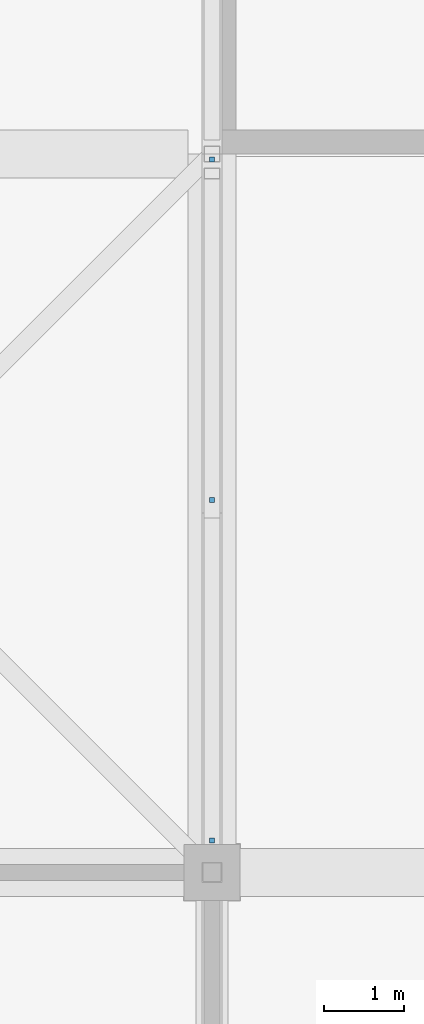
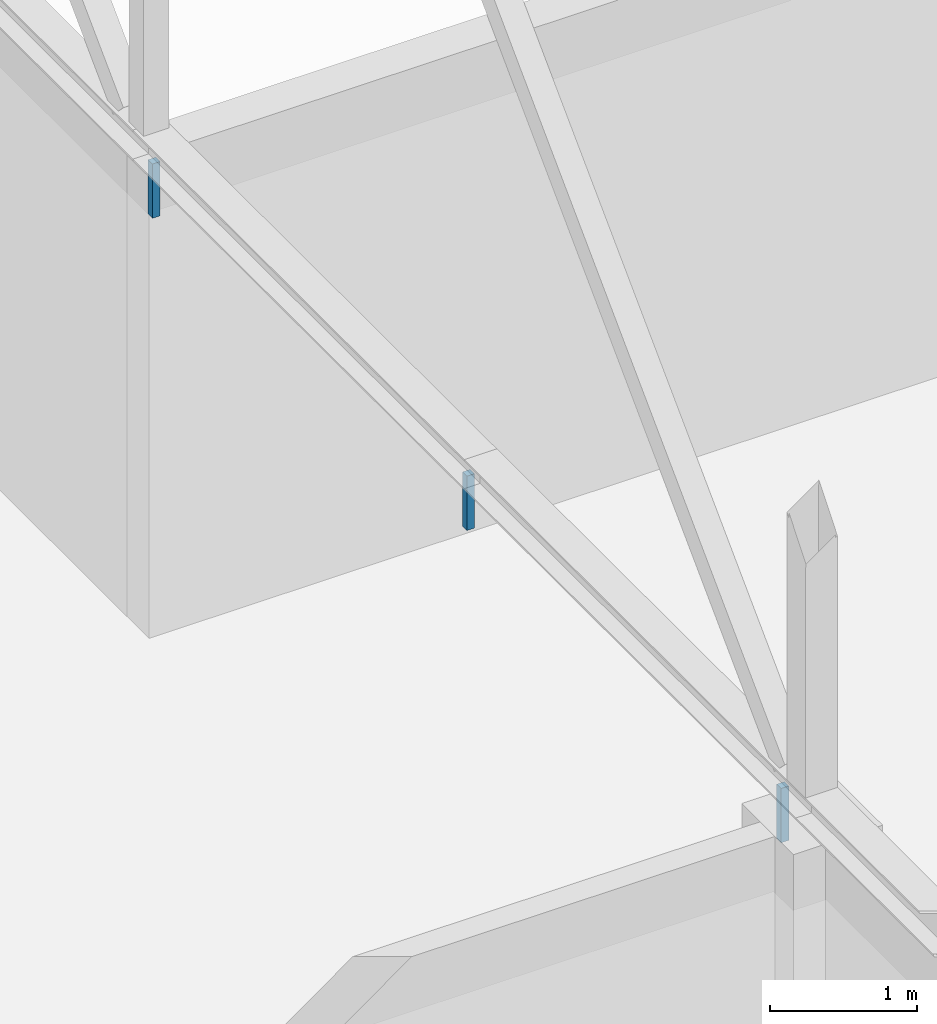
# One storey, part 206 of 646: 3 discrete accessories.
"""IFC4 building model written with IfcOpenShell, lengths in metres."""

from ifc_helpers import new_model, si_unit, direction, frame, origin, origin_2d, place, context, subcontext, project, spatial, rectangle, extrude, material, type_object, element, save


model = new_model("IFC4")

# Units and contexts
model_context = context("Model", 3, precision=1e-05, world=origin(), true_north=direction((0.0, 1.0)))
body_context = subcontext(model_context, "Body", "Model", "MODEL_VIEW")
ifc_project = project(units=[si_unit("LENGTHUNIT", "METRE"), si_unit("AREAUNIT", "SQUARE_METRE"), si_unit("VOLUMEUNIT", "CUBIC_METRE"), si_unit("PLANEANGLEUNIT", "RADIAN"), si_unit("MASSUNIT", "GRAM", prefix="KILO")], contexts=[model_context])

# Site, building, storey
site_placement = place(None, origin())
site = spatial("IfcSite", under=ifc_project, at=site_placement, CompositionType="ELEMENT")
building_placement = place(site_placement, origin())
building = spatial("IfcBuilding", under=site, at=building_placement, Name="Silverbay Arena", CompositionType="ELEMENT")
storey_placement = place(building_placement, frame((0.0, 0.0, 33.5)))
storey = spatial("IfcBuildingStorey", under=building, at=storey_placement, Name="L05", CompositionType="ELEMENT", Elevation=33.5)

# Discrete accessories
ifc_material = material(Name="Steel S355", Category="steel")
discrete_accessory_type = type_object("IfcDiscreteAccessoryType", Name="Ceiling hanger", PredefinedType="BRACKET", material=ifc_material)
for number, where, z_axis, x_axis, name in (
    (1, (171.0, 108.39990234375, 3.5498046875), (0.0, 0.0, 1.0), (1.0, 0.0, 0.0), "Ceiling hanger"),
    (2, (171.0, 112.6650390625, 3.5498046875), (0.0, 0.0, 1.0), (1.0, 0.0, 0.0), "Ceiling hanger"),
    (3, (171.0, 116.929931640625, 3.5498046875), (0.0, 0.0, 1.0), (1.0, 0.0, 0.0), "Ceiling hanger"),
):
    element("IfcDiscreteAccessory", number, at=place(storey_placement, frame(where, z_axis=z_axis, x_axis=x_axis)), inside=storey, type_object=discrete_accessory_type, Name=name, PredefinedType="BRACKET", context=body_context, shape_type="SweptSolid", body=[
        extrude(rectangle(XDim=0.06005859375, YDim=0.06005859375, at=origin_2d()), origin(), (0.0, 0.0, 1.0), 0.449951171875),
    ])

save(model, "model.ifc")
